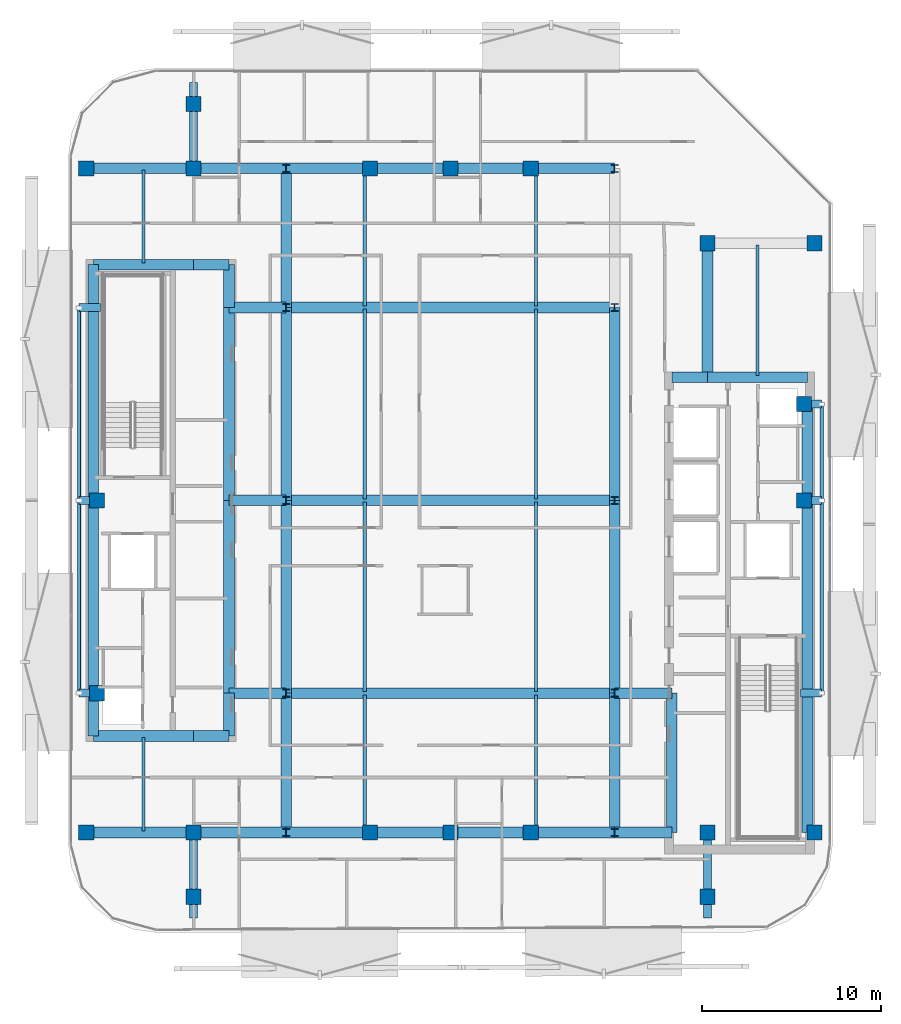
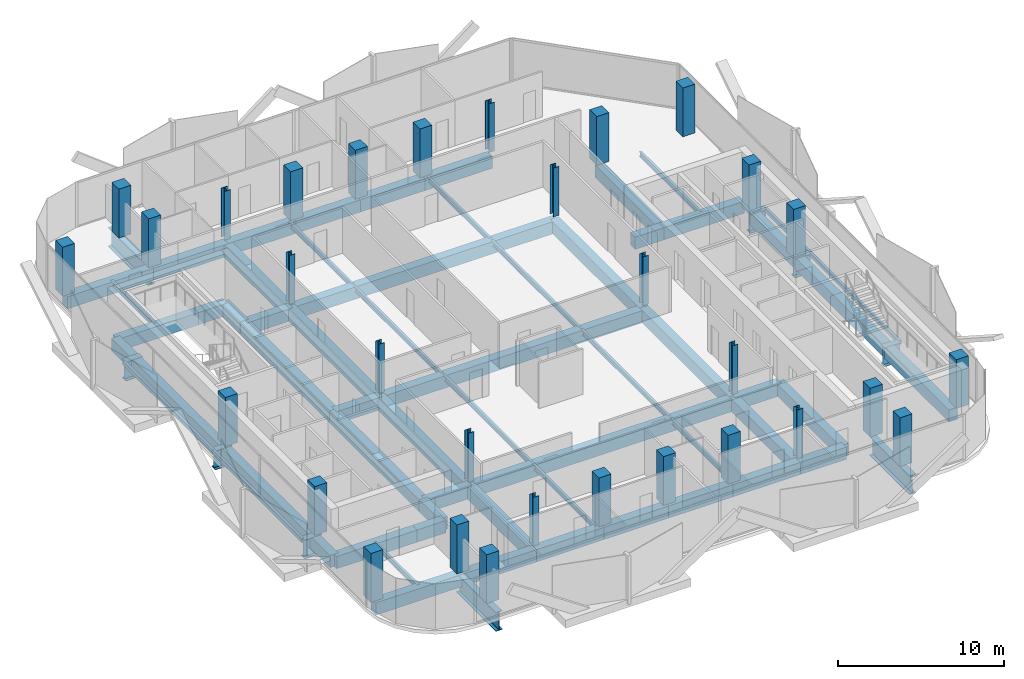
# One storey, part 1 of 15: 70 beams, 31 columns.
"""IFC4 building model written with IfcOpenShell, lengths in metres."""

from ifc_helpers import new_model, si_unit, direction, frame, origin, origin_2d, place, context, subcontext, project, spatial, rectangle, hollow_rectangle, i_section, extrude, material, material_profile, profile_set, type_object, element, save


model = new_model("IFC4")

# Units and contexts
model_context = context("Model", 3, precision=1e-05, world=origin(), true_north=direction((0.0, 1.0)))
body_context = subcontext(model_context, "Body", "Model", "MODEL_VIEW")
ifc_project = project(units=[si_unit("LENGTHUNIT", "METRE"), si_unit("AREAUNIT", "SQUARE_METRE"), si_unit("VOLUMEUNIT", "CUBIC_METRE"), si_unit("PLANEANGLEUNIT", "RADIAN"), si_unit("MASSUNIT", "GRAM", prefix="KILO")], contexts=[model_context])

# Site, building, storey
site_placement = place(None, origin())
site = spatial("IfcSite", under=ifc_project, at=site_placement, CompositionType="ELEMENT")
building_placement = place(site_placement, origin())
building = spatial("IfcBuilding", under=site, at=building_placement, Name="Khairoan Windgate Tower", CompositionType="ELEMENT")
storey_placement = place(building_placement, frame((0.0, 0.0, 262.0)))
storey = spatial("IfcBuildingStorey", under=building, at=storey_placement, Name="L62", CompositionType="ELEMENT", Elevation=262.0)

# Columns
ifc_material_1 = material(Name="Concrete C50/60", Category="concrete")
ifc_material_profile_1 = material_profile(ifc_material_1, rectangle(XDim=0.85009765625, YDim=0.85009765625, at=origin_2d()))
ifc_profile_set_1 = profile_set([ifc_material_profile_1], Name="Concrete C50/60")
column_type_1 = type_object("IfcColumnType", Name="Column C-T5 RC850x850", PredefinedType="COLUMN", material=ifc_profile_set_1)
for number, where, z_axis, x_axis, name in (
    (1, (-20.39990234375, -18.60009765625, 0.0), (0.0, 0.0, 1.0), (1.0, 0.0, 0.0), "Column L62-11"),
    (2, (-20.39990234375, 18.60009765625, 0.0), (0.0, 0.0, 1.0), (1.0, 0.0, 0.0), "Column L62-12"),
    (3, (20.39990234375, -18.60009765625, 0.0), (0.0, 0.0, 1.0), (1.0, 0.0, 0.0), "Column L62-13"),
    (4, (20.39990234375, 14.39990234375, 0.0), (0.0, 0.0, 1.0), (1.0, 0.0, 0.0), "Column L62-14"),
    (5, (-14.39990234375, -18.60009765625, 0.0), (0.0, 0.0, 1.0), (1.0, 0.0, 0.0), "Column L62-15"),
    (6, (-14.39990234375, 18.60009765625, 0.0), (0.0, 0.0, 1.0), (1.0, 0.0, 0.0), "Column L62-16"),
    (7, (14.39990234375, -18.60009765625, 0.0), (0.0, 0.0, 1.0), (1.0, 0.0, 0.0), "Column L62-17"),
    (8, (14.39990234375, 14.39990234375, 0.0), (0.0, 0.0, 1.0), (1.0, 0.0, 0.0), "Column L62-18"),
    (9, (-4.5, -18.60009765625, 0.0), (0.0, 0.0, 1.0), (1.0, 0.0, 0.0), "Column L62-19"),
    (10, (0.0, -18.60009765625, 0.0), (0.0, 0.0, 1.0), (1.0, 0.0, 0.0), "Column L62-20"),
    (11, (4.5, -18.60009765625, 0.0), (0.0, 0.0, 1.0), (1.0, 0.0, 0.0), "Column L62-21"),
    (12, (-4.5, 18.60009765625, 0.0), (0.0, 0.0, 1.0), (1.0, 0.0, 0.0), "Column L62-22"),
    (13, (0.0, 18.60009765625, 0.0), (0.0, 0.0, 1.0), (1.0, 0.0, 0.0), "Column L62-23"),
    (14, (4.5, 18.60009765625, 0.0), (0.0, 0.0, 1.0), (1.0, 0.0, 0.0), "Column L62-24"),
    (15, (-19.800048828125, -10.800048828125, 0.0), (0.0, 0.0, 1.0), (1.0, 0.0, 0.0), "Column L62-25"),
    (16, (-19.800048828125, 0.0, 0.0), (0.0, 0.0, 1.0), (1.0, 0.0, 0.0), "Column L62-26"),
    (17, (19.800048828125, 0.0, 0.0), (0.0, 0.0, 1.0), (1.0, 0.0, 0.0), "Column L62-29"),
    (18, (19.800048828125, 5.39990234375, 0.0), (0.0, 0.0, 1.0), (1.0, 0.0, 0.0), "Column L62-30"),
    (19, (-14.39990234375, -22.199951171875, 0.0), (0.0, 0.0, 1.0), (1.0, 0.0, 0.0), "Column L62-31"),
    (20, (-14.39990234375, 22.199951171875, 0.0), (0.0, 0.0, 1.0), (1.0, 0.0, 0.0), "Column L62-32"),
    (21, (14.39990234375, -22.199951171875, 0.0), (0.0, 0.0, 1.0), (1.0, 0.0, 0.0), "Column L62-33"),
):
    element("IfcColumn", number, at=place(storey_placement, frame(where, z_axis=z_axis, x_axis=x_axis)), inside=storey, type_object=column_type_1, Name=name, PredefinedType="COLUMN", context=body_context, shape_type="SweptSolid", body=[
        extrude(rectangle(XDim=0.85009765625, YDim=0.85009765625, at=origin_2d()), origin(), (0.0, 0.0, 1.0), 3.60009765625),
    ])
ifc_material_2 = material(Name="Steel S355", Category="steel")
ifc_material_profile_2 = material_profile(ifc_material_2, i_section(OverallWidth=0.406982421875, OverallDepth=0.427978515625, WebThickness=0.02001953125, FlangeThickness=0.034912109375, FilletRadius=0.02197265625, at=origin_2d()))
ifc_profile_set_2 = profile_set([ifc_material_profile_2], Name="Steel S355")
column_type_2 = type_object("IfcColumnType", Name="Steel Column SC3 H428x407x20x35", PredefinedType="COLUMN", material=ifc_profile_set_2)
for number, where, z_axis, x_axis, name in (
    (22, (-9.199951171875, -18.60009765625, 0.0), (0.0, 0.0, 1.0), (1.0, 0.0, 0.0), "Column L62-01"),
    (23, (-9.199951171875, -10.800048828125, 0.0), (0.0, 0.0, 1.0), (1.0, 0.0, 0.0), "Column L62-02"),
    (24, (-9.199951171875, 0.0, 0.0), (0.0, 0.0, 1.0), (1.0, 0.0, 0.0), "Column L62-03"),
    (25, (-9.199951171875, 10.800048828125, 0.0), (0.0, 0.0, 1.0), (1.0, 0.0, 0.0), "Column L62-04"),
    (26, (-9.199951171875, 18.60009765625, 0.0), (0.0, 0.0, 1.0), (1.0, 0.0, 0.0), "Column L62-05"),
    (27, (9.199951171875, -18.60009765625, 0.0), (0.0, 0.0, 1.0), (1.0, 0.0, 0.0), "Column L62-06"),
    (28, (9.199951171875, -10.800048828125, 0.0), (0.0, 0.0, 1.0), (1.0, 0.0, 0.0), "Column L62-07"),
    (29, (9.199951171875, 0.0, 0.0), (0.0, 0.0, 1.0), (1.0, 0.0, 0.0), "Column L62-08"),
    (30, (9.199951171875, 10.800048828125, 0.0), (0.0, 0.0, 1.0), (1.0, 0.0, 0.0), "Column L62-09"),
    (31, (9.199951171875, 18.60009765625, 0.0), (0.0, 0.0, 1.0), (1.0, 0.0, 0.0), "Column L62-10"),
):
    element("IfcColumn", number, at=place(storey_placement, frame(where, z_axis=z_axis, x_axis=x_axis)), inside=storey, type_object=column_type_2, Name=name, PredefinedType="COLUMN", context=body_context, shape_type="SweptSolid", body=[
        extrude(i_section(OverallWidth=0.406982421875, OverallDepth=0.427978515625, WebThickness=0.02001953125, FlangeThickness=0.034912109375, FilletRadius=0.02197265625, at=origin_2d()), origin(), (0.0, 0.0, 1.0), 3.60009765625),
    ])

# Beams
ifc_material_3 = material(Name="Concrete C50/60", Category="concrete")
ifc_material_profile_3 = material_profile(ifc_material_3, rectangle(XDim=0.60009765625, YDim=0.89990234375, at=origin_2d()))
ifc_profile_set_3 = profile_set([ifc_material_profile_3], Name="Concrete C50/60")
beam_type_1 = type_object("IfcBeamType", Name="Beam B-RC1 RC600x900", PredefinedType="BEAM", material=ifc_profile_set_3)
beam_1_placement = place(storey_placement, frame((-20.39990234375, -18.60009765625, -0.7099609375), z_axis=(1.0, 0.0, 0.0), x_axis=(0.0, 1.0, 0.0)))
element("IfcBeam", 32, at=beam_1_placement, inside=storey, type_object=beam_type_1, Name="L62 E-W Primary Girder 01", PredefinedType="BEAM", context=body_context, shape_type="SweptSolid", body=[
    extrude(rectangle(XDim=0.60009765625, YDim=0.89990234375, at=origin_2d()), origin(), (0.0, 0.0, 1.0), 6.0),
])
beam_2_placement = place(storey_placement, frame((-14.39990234375, -18.60009765625, -0.7099609375), z_axis=(1.0, 0.0, 0.0), x_axis=(0.0, 1.0, 0.0)))
element("IfcBeam", 33, at=beam_2_placement, inside=storey, type_object=beam_type_1, Name="L62 E-W Primary Girder 02", PredefinedType="BEAM", context=body_context, shape_type="SweptSolid", body=[
    extrude(rectangle(XDim=0.60009765625, YDim=0.89990234375, at=origin_2d()), origin(), (0.0, 0.0, 1.0), 5.199951171875),
])
beam_3_placement = place(storey_placement, frame((-9.199951171875, -18.60009765625, -0.7099609375), z_axis=(1.0, 0.0, 0.0), x_axis=(0.0, 1.0, 0.0)))
element("IfcBeam", 34, at=beam_3_placement, inside=storey, type_object=beam_type_1, Name="L62 E-W Primary Girder 03", PredefinedType="BEAM", context=body_context, shape_type="SweptSolid", body=[
    extrude(rectangle(XDim=0.60009765625, YDim=0.89990234375, at=origin_2d()), origin(), (0.0, 0.0, 1.0), 4.699951171875),
])
for number, where, z_axis, x_axis, name in (
    (35, (-4.5, -18.60009765625, -0.7099609375), (1.0, 0.0, 0.0), (0.0, 1.0, 0.0), "L62 E-W Primary Girder 04"),
    (36, (0.0, -18.60009765625, -0.7099609375), (1.0, 0.0, 0.0), (0.0, 1.0, 0.0), "L62 E-W Primary Girder 05"),
):
    element("IfcBeam", number, at=place(storey_placement, frame(where, z_axis=z_axis, x_axis=x_axis)), inside=storey, type_object=beam_type_1, Name=name, PredefinedType="BEAM", context=body_context, shape_type="SweptSolid", body=[
        extrude(rectangle(XDim=0.60009765625, YDim=0.89990234375, at=origin_2d()), origin(), (0.0, 0.0, 1.0), 4.5),
    ])
beam_4_placement = place(storey_placement, frame((4.5, -18.60009765625, -0.7099609375), z_axis=(1.0, 0.0, 0.0), x_axis=(0.0, 1.0, 0.0)))
element("IfcBeam", 37, at=beam_4_placement, inside=storey, type_object=beam_type_1, Name="L62 E-W Primary Girder 06", PredefinedType="BEAM", context=body_context, shape_type="SweptSolid", body=[
    extrude(rectangle(XDim=0.60009765625, YDim=0.89990234375, at=origin_2d()), origin(), (0.0, 0.0, 1.0), 4.699951171875),
])
beam_5_placement = place(storey_placement, frame((9.199951171875, -18.60009765625, -0.7099609375), z_axis=(1.0, 0.0, 0.0), x_axis=(0.0, 1.0, 0.0)))
element("IfcBeam", 38, at=beam_5_placement, inside=storey, type_object=beam_type_1, Name="L62 E-W Primary Girder 07", PredefinedType="BEAM", context=body_context, shape_type="SweptSolid", body=[
    extrude(rectangle(XDim=0.60009765625, YDim=0.89990234375, at=origin_2d()), origin(), (0.0, 0.0, 1.0), 3.199951171875),
])
beam_6_placement = place(storey_placement, frame((-20.0, -13.199951171875, -0.7099609375), z_axis=(1.0, 0.0, 0.0), x_axis=(0.0, 1.0, 0.0)))
element("IfcBeam", 39, at=beam_6_placement, inside=storey, type_object=beam_type_1, Name="L62 E-W Primary Girder 08", PredefinedType="BEAM", context=body_context, shape_type="SweptSolid", body=[
    extrude(rectangle(XDim=0.60009765625, YDim=0.89990234375, at=origin_2d()), origin(), (0.0, 0.0, 1.0), 5.60009765625),
])
beam_7_placement = place(storey_placement, frame((-14.39990234375, -13.199951171875, -0.7099609375), z_axis=(1.0, 0.0, 0.0), x_axis=(0.0, 1.0, 0.0)))
element("IfcBeam", 40, at=beam_7_placement, inside=storey, type_object=beam_type_1, Name="L62 E-W Primary Girder 09", PredefinedType="BEAM", context=body_context, shape_type="SweptSolid", body=[
    extrude(rectangle(XDim=0.60009765625, YDim=0.89990234375, at=origin_2d()), origin(), (0.0, 0.0, 1.0), 2.0),
])
beam_8_placement = place(storey_placement, frame((-12.39990234375, -10.800048828125, -0.7099609375), z_axis=(1.0, 0.0, 0.0), x_axis=(0.0, 1.0, 0.0)))
element("IfcBeam", 41, at=beam_8_placement, inside=storey, type_object=beam_type_1, Name="L62 E-W Primary Girder 10", PredefinedType="BEAM", context=body_context, shape_type="SweptSolid", body=[
    extrude(rectangle(XDim=0.60009765625, YDim=0.89990234375, at=origin_2d()), origin(), (0.0, 0.0, 1.0), 3.199951171875),
])
beam_9_placement = place(storey_placement, frame((-9.199951171875, -10.800048828125, -0.7099609375), z_axis=(1.0, 0.0, 0.0), x_axis=(0.0, 1.0, 0.0)))
element("IfcBeam", 42, at=beam_9_placement, inside=storey, type_object=beam_type_1, Name="L62 E-W Primary Girder 11", PredefinedType="BEAM", context=body_context, shape_type="SweptSolid", body=[
    extrude(rectangle(XDim=0.60009765625, YDim=0.89990234375, at=origin_2d()), origin(), (0.0, 0.0, 1.0), 18.39990234375),
])
for number, where, z_axis, x_axis, name in (
    (43, (9.199951171875, -10.800048828125, -0.7099609375), (1.0, 0.0, 0.0), (0.0, 1.0, 0.0), "L62 E-W Primary Girder 12"),
    (44, (-12.39990234375, 0.0, -0.7099609375), (1.0, 0.0, 0.0), (0.0, 1.0, 0.0), "L62 E-W Primary Girder 13"),
):
    element("IfcBeam", number, at=place(storey_placement, frame(where, z_axis=z_axis, x_axis=x_axis)), inside=storey, type_object=beam_type_1, Name=name, PredefinedType="BEAM", context=body_context, shape_type="SweptSolid", body=[
        extrude(rectangle(XDim=0.60009765625, YDim=0.89990234375, at=origin_2d()), origin(), (0.0, 0.0, 1.0), 3.199951171875),
    ])
beam_10_placement = place(storey_placement, frame((-9.199951171875, 0.0, -0.7099609375), z_axis=(1.0, 0.0, 0.0), x_axis=(0.0, 1.0, 0.0)))
element("IfcBeam", 45, at=beam_10_placement, inside=storey, type_object=beam_type_1, Name="L62 E-W Primary Girder 14", PredefinedType="BEAM", context=body_context, shape_type="SweptSolid", body=[
    extrude(rectangle(XDim=0.60009765625, YDim=0.89990234375, at=origin_2d()), origin(), (0.0, 0.0, 1.0), 18.39990234375),
])
beam_11_placement = place(storey_placement, frame((12.39990234375, 6.89990234375, -0.7099609375), z_axis=(1.0, 0.0, 0.0), x_axis=(0.0, 1.0, 0.0)))
element("IfcBeam", 46, at=beam_11_placement, inside=storey, type_object=beam_type_1, Name="L62 E-W Primary Girder 15", PredefinedType="BEAM", context=body_context, shape_type="SweptSolid", body=[
    extrude(rectangle(XDim=0.60009765625, YDim=0.89990234375, at=origin_2d()), origin(), (0.0, 0.0, 1.0), 2.0),
])
beam_12_placement = place(storey_placement, frame((14.39990234375, 6.89990234375, -0.7099609375), z_axis=(1.0, 0.0, 0.0), x_axis=(0.0, 1.0, 0.0)))
element("IfcBeam", 47, at=beam_12_placement, inside=storey, type_object=beam_type_1, Name="L62 E-W Primary Girder 16", PredefinedType="BEAM", context=body_context, shape_type="SweptSolid", body=[
    extrude(rectangle(XDim=0.60009765625, YDim=0.89990234375, at=origin_2d()), origin(), (0.0, 0.0, 1.0), 5.60009765625),
])
beam_13_placement = place(storey_placement, frame((-12.39990234375, 10.800048828125, -0.7099609375), z_axis=(1.0, 0.0, 0.0), x_axis=(0.0, 1.0, 0.0)))
element("IfcBeam", 48, at=beam_13_placement, inside=storey, type_object=beam_type_1, Name="L62 E-W Primary Girder 17", PredefinedType="BEAM", context=body_context, shape_type="SweptSolid", body=[
    extrude(rectangle(XDim=0.60009765625, YDim=0.89990234375, at=origin_2d()), origin(), (0.0, 0.0, 1.0), 3.199951171875),
])
beam_14_placement = place(storey_placement, frame((-9.199951171875, 10.800048828125, -0.7099609375), z_axis=(1.0, 0.0, 0.0), x_axis=(0.0, 1.0, 0.0)))
element("IfcBeam", 49, at=beam_14_placement, inside=storey, type_object=beam_type_1, Name="L62 E-W Primary Girder 18", PredefinedType="BEAM", context=body_context, shape_type="SweptSolid", body=[
    extrude(rectangle(XDim=0.60009765625, YDim=0.89990234375, at=origin_2d()), origin(), (0.0, 0.0, 1.0), 18.39990234375),
])
beam_15_placement = place(storey_placement, frame((-20.0, 13.199951171875, -0.7099609375), z_axis=(1.0, 0.0, 0.0), x_axis=(0.0, 1.0, 0.0)))
element("IfcBeam", 50, at=beam_15_placement, inside=storey, type_object=beam_type_1, Name="L62 E-W Primary Girder 19", PredefinedType="BEAM", context=body_context, shape_type="SweptSolid", body=[
    extrude(rectangle(XDim=0.60009765625, YDim=0.89990234375, at=origin_2d()), origin(), (0.0, 0.0, 1.0), 5.60009765625),
])
beam_16_placement = place(storey_placement, frame((-14.39990234375, 13.199951171875, -0.7099609375), z_axis=(1.0, 0.0, 0.0), x_axis=(0.0, 1.0, 0.0)))
element("IfcBeam", 51, at=beam_16_placement, inside=storey, type_object=beam_type_1, Name="L62 E-W Primary Girder 20", PredefinedType="BEAM", context=body_context, shape_type="SweptSolid", body=[
    extrude(rectangle(XDim=0.60009765625, YDim=0.89990234375, at=origin_2d()), origin(), (0.0, 0.0, 1.0), 2.0),
])
beam_17_placement = place(storey_placement, frame((-20.39990234375, 18.60009765625, -0.7099609375), z_axis=(1.0, 0.0, 0.0), x_axis=(0.0, 1.0, 0.0)))
element("IfcBeam", 52, at=beam_17_placement, inside=storey, type_object=beam_type_1, Name="L62 E-W Primary Girder 22", PredefinedType="BEAM", context=body_context, shape_type="SweptSolid", body=[
    extrude(rectangle(XDim=0.60009765625, YDim=0.89990234375, at=origin_2d()), origin(), (0.0, 0.0, 1.0), 6.0),
])
beam_18_placement = place(storey_placement, frame((-14.39990234375, 18.60009765625, -0.7099609375), z_axis=(1.0, 0.0, 0.0), x_axis=(0.0, 1.0, 0.0)))
element("IfcBeam", 53, at=beam_18_placement, inside=storey, type_object=beam_type_1, Name="L62 E-W Primary Girder 23", PredefinedType="BEAM", context=body_context, shape_type="SweptSolid", body=[
    extrude(rectangle(XDim=0.60009765625, YDim=0.89990234375, at=origin_2d()), origin(), (0.0, 0.0, 1.0), 5.199951171875),
])
beam_19_placement = place(storey_placement, frame((-9.199951171875, 18.60009765625, -0.7099609375), z_axis=(1.0, 0.0, 0.0), x_axis=(0.0, 1.0, 0.0)))
element("IfcBeam", 54, at=beam_19_placement, inside=storey, type_object=beam_type_1, Name="L62 E-W Primary Girder 24", PredefinedType="BEAM", context=body_context, shape_type="SweptSolid", body=[
    extrude(rectangle(XDim=0.60009765625, YDim=0.89990234375, at=origin_2d()), origin(), (0.0, 0.0, 1.0), 4.699951171875),
])
for number, where, z_axis, x_axis, name in (
    (55, (-4.5, 18.60009765625, -0.7099609375), (1.0, 0.0, 0.0), (0.0, 1.0, 0.0), "L62 E-W Primary Girder 25"),
    (56, (0.0, 18.60009765625, -0.7099609375), (1.0, 0.0, 0.0), (0.0, 1.0, 0.0), "L62 E-W Primary Girder 26"),
):
    element("IfcBeam", number, at=place(storey_placement, frame(where, z_axis=z_axis, x_axis=x_axis)), inside=storey, type_object=beam_type_1, Name=name, PredefinedType="BEAM", context=body_context, shape_type="SweptSolid", body=[
        extrude(rectangle(XDim=0.60009765625, YDim=0.89990234375, at=origin_2d()), origin(), (0.0, 0.0, 1.0), 4.5),
    ])
beam_20_placement = place(storey_placement, frame((4.5, 18.60009765625, -0.7099609375), z_axis=(1.0, 0.0, 0.0), x_axis=(0.0, 1.0, 0.0)))
element("IfcBeam", 57, at=beam_20_placement, inside=storey, type_object=beam_type_1, Name="L62 E-W Primary Girder 27", PredefinedType="BEAM", context=body_context, shape_type="SweptSolid", body=[
    extrude(rectangle(XDim=0.60009765625, YDim=0.89990234375, at=origin_2d()), origin(), (0.0, 0.0, 1.0), 4.699951171875),
])
beam_21_placement = place(storey_placement, frame((-20.0, -13.199951171875, -0.7099609375), z_axis=(0.0, 1.0, 0.0), x_axis=(-1.0, 0.0, 0.0)))
element("IfcBeam", 58, at=beam_21_placement, inside=storey, type_object=beam_type_1, Name="L62 N-S Primary Beam 30", PredefinedType="BEAM", context=body_context, shape_type="SweptSolid", body=[
    extrude(rectangle(XDim=0.60009765625, YDim=0.89990234375, at=origin_2d()), origin(), (0.0, 0.0, 1.0), 2.39990234375),
])
for number, where, z_axis, x_axis, name in (
    (59, (-20.0, -10.800048828125, -0.7099609375), (0.0, 1.0, 0.0), (-1.0, 0.0, 0.0), "L62 N-S Primary Beam 31"),
    (60, (-20.0, 0.0, -0.7099609375), (0.0, 1.0, 0.0), (-1.0, 0.0, 0.0), "L62 N-S Primary Beam 32"),
):
    element("IfcBeam", number, at=place(storey_placement, frame(where, z_axis=z_axis, x_axis=x_axis)), inside=storey, type_object=beam_type_1, Name=name, PredefinedType="BEAM", context=body_context, shape_type="SweptSolid", body=[
        extrude(rectangle(XDim=0.60009765625, YDim=0.89990234375, at=origin_2d()), origin(), (0.0, 0.0, 1.0), 10.800048828125),
    ])
for number, where, z_axis, x_axis, name in (
    (61, (-20.0, 10.800048828125, -0.7099609375), (0.0, 1.0, 0.0), (-1.0, 0.0, 0.0), "L62 N-S Primary Beam 33"),
    (62, (-12.39990234375, -13.199951171875, -0.7099609375), (0.0, 1.0, 0.0), (-1.0, 0.0, 0.0), "L62 N-S Primary Beam 34"),
):
    element("IfcBeam", number, at=place(storey_placement, frame(where, z_axis=z_axis, x_axis=x_axis)), inside=storey, type_object=beam_type_1, Name=name, PredefinedType="BEAM", context=body_context, shape_type="SweptSolid", body=[
        extrude(rectangle(XDim=0.60009765625, YDim=0.89990234375, at=origin_2d()), origin(), (0.0, 0.0, 1.0), 2.39990234375),
    ])
for number, where, z_axis, x_axis, name in (
    (63, (-12.39990234375, -10.800048828125, -0.7099609375), (0.0, 1.0, 0.0), (-1.0, 0.0, 0.0), "L62 N-S Primary Beam 35"),
    (64, (-12.39990234375, 0.0, -0.7099609375), (0.0, 1.0, 0.0), (-1.0, 0.0, 0.0), "L62 N-S Primary Beam 36"),
):
    element("IfcBeam", number, at=place(storey_placement, frame(where, z_axis=z_axis, x_axis=x_axis)), inside=storey, type_object=beam_type_1, Name=name, PredefinedType="BEAM", context=body_context, shape_type="SweptSolid", body=[
        extrude(rectangle(XDim=0.60009765625, YDim=0.89990234375, at=origin_2d()), origin(), (0.0, 0.0, 1.0), 10.800048828125),
    ])
beam_22_placement = place(storey_placement, frame((-12.39990234375, 10.800048828125, -0.7099609375), z_axis=(0.0, 1.0, 0.0), x_axis=(-1.0, 0.0, 0.0)))
element("IfcBeam", 65, at=beam_22_placement, inside=storey, type_object=beam_type_1, Name="L62 N-S Primary Beam 37", PredefinedType="BEAM", context=body_context, shape_type="SweptSolid", body=[
    extrude(rectangle(XDim=0.60009765625, YDim=0.89990234375, at=origin_2d()), origin(), (0.0, 0.0, 1.0), 2.39990234375),
])
beam_23_placement = place(storey_placement, frame((-9.199951171875, -18.60009765625, -0.7099609375), z_axis=(0.0, 1.0, 0.0), x_axis=(-1.0, 0.0, 0.0)))
element("IfcBeam", 66, at=beam_23_placement, inside=storey, type_object=beam_type_1, Name="L62 N-S Primary Beam 38", PredefinedType="BEAM", context=body_context, shape_type="SweptSolid", body=[
    extrude(rectangle(XDim=0.60009765625, YDim=0.89990234375, at=origin_2d()), origin(), (0.0, 0.0, 1.0), 7.800048828125),
])
for number, where, z_axis, x_axis, name in (
    (67, (-9.199951171875, -10.800048828125, -0.7099609375), (0.0, 1.0, 0.0), (-1.0, 0.0, 0.0), "L62 N-S Primary Beam 39"),
    (68, (-9.199951171875, 0.0, -0.7099609375), (0.0, 1.0, 0.0), (-1.0, 0.0, 0.0), "L62 N-S Primary Beam 40"),
):
    element("IfcBeam", number, at=place(storey_placement, frame(where, z_axis=z_axis, x_axis=x_axis)), inside=storey, type_object=beam_type_1, Name=name, PredefinedType="BEAM", context=body_context, shape_type="SweptSolid", body=[
        extrude(rectangle(XDim=0.60009765625, YDim=0.89990234375, at=origin_2d()), origin(), (0.0, 0.0, 1.0), 10.800048828125),
    ])
for number, where, z_axis, x_axis, name in (
    (69, (-9.199951171875, 10.800048828125, -0.7099609375), (0.0, 1.0, 0.0), (-1.0, 0.0, 0.0), "L62 N-S Primary Beam 41"),
    (70, (9.199951171875, -18.60009765625, -0.7099609375), (0.0, 1.0, 0.0), (-1.0, 0.0, 0.0), "L62 N-S Primary Beam 42"),
):
    element("IfcBeam", number, at=place(storey_placement, frame(where, z_axis=z_axis, x_axis=x_axis)), inside=storey, type_object=beam_type_1, Name=name, PredefinedType="BEAM", context=body_context, shape_type="SweptSolid", body=[
        extrude(rectangle(XDim=0.60009765625, YDim=0.89990234375, at=origin_2d()), origin(), (0.0, 0.0, 1.0), 7.800048828125),
    ])
for number, where, z_axis, x_axis, name in (
    (71, (9.199951171875, -10.800048828125, -0.7099609375), (0.0, 1.0, 0.0), (-1.0, 0.0, 0.0), "L62 N-S Primary Beam 43"),
    (72, (9.199951171875, 0.0, -0.7099609375), (0.0, 1.0, 0.0), (-1.0, 0.0, 0.0), "L62 N-S Primary Beam 44"),
):
    element("IfcBeam", number, at=place(storey_placement, frame(where, z_axis=z_axis, x_axis=x_axis)), inside=storey, type_object=beam_type_1, Name=name, PredefinedType="BEAM", context=body_context, shape_type="SweptSolid", body=[
        extrude(rectangle(XDim=0.60009765625, YDim=0.89990234375, at=origin_2d()), origin(), (0.0, 0.0, 1.0), 10.800048828125),
    ])
beam_24_placement = place(storey_placement, frame((12.39990234375, -18.60009765625, -0.7099609375), z_axis=(0.0, 1.0, 0.0), x_axis=(-1.0, 0.0, 0.0)))
element("IfcBeam", 73, at=beam_24_placement, inside=storey, type_object=beam_type_1, Name="L62 N-S Primary Beam 46", PredefinedType="BEAM", context=body_context, shape_type="SweptSolid", body=[
    extrude(rectangle(XDim=0.60009765625, YDim=0.89990234375, at=origin_2d()), origin(), (0.0, 0.0, 1.0), 7.800048828125),
])
beam_25_placement = place(storey_placement, frame((14.39990234375, 6.89990234375, -0.7099609375), z_axis=(0.0, 1.0, 0.0), x_axis=(-1.0, 0.0, 0.0)))
element("IfcBeam", 74, at=beam_25_placement, inside=storey, type_object=beam_type_1, Name="L62 N-S Primary Beam 47", PredefinedType="BEAM", context=body_context, shape_type="SweptSolid", body=[
    extrude(rectangle(XDim=0.60009765625, YDim=0.89990234375, at=origin_2d()), origin(), (0.0, 0.0, 1.0), 7.5),
])
beam_26_placement = place(storey_placement, frame((20.0, -18.60009765625, -0.7099609375), z_axis=(0.0, 1.0, 0.0), x_axis=(-1.0, 0.0, 0.0)))
element("IfcBeam", 75, at=beam_26_placement, inside=storey, type_object=beam_type_1, Name="L62 N-S Primary Beam 48", PredefinedType="BEAM", context=body_context, shape_type="SweptSolid", body=[
    extrude(rectangle(XDim=0.60009765625, YDim=0.89990234375, at=origin_2d()), origin(), (0.0, 0.0, 1.0), 7.800048828125),
])
beam_27_placement = place(storey_placement, frame((20.0, -10.800048828125, -0.7099609375), z_axis=(0.0, 1.0, 0.0), x_axis=(-1.0, 0.0, 0.0)))
element("IfcBeam", 76, at=beam_27_placement, inside=storey, type_object=beam_type_1, Name="L62 N-S Primary Beam 49", PredefinedType="BEAM", context=body_context, shape_type="SweptSolid", body=[
    extrude(rectangle(XDim=0.60009765625, YDim=0.89990234375, at=origin_2d()), origin(), (0.0, 0.0, 1.0), 10.800048828125),
])
beam_28_placement = place(storey_placement, frame((20.0, 0.0, -0.7099609375), z_axis=(0.0, 1.0, 0.0), x_axis=(-1.0, 0.0, 0.0)))
element("IfcBeam", 77, at=beam_28_placement, inside=storey, type_object=beam_type_1, Name="L62 N-S Primary Beam 50", PredefinedType="BEAM", context=body_context, shape_type="SweptSolid", body=[
    extrude(rectangle(XDim=0.60009765625, YDim=0.89990234375, at=origin_2d()), origin(), (0.0, 0.0, 1.0), 5.39990234375),
])
ifc_material_4 = material(Name="Steel S355", Category="steel")
ifc_material_profile_4 = material_profile(ifc_material_4, i_section(OverallWidth=0.175048828125, OverallDepth=0.35009765625, WebThickness=0.007080078125, FlangeThickness=0.010986328125, FilletRadius=0.013916015625, at=origin_2d()))
ifc_profile_set_4 = profile_set([ifc_material_profile_4], Name="Steel S355")
beam_type_2 = type_object("IfcBeamType", Name="Beam J-S5 H350x175x7x11", PredefinedType="JOIST", material=ifc_profile_set_4)
for number, where, z_axis, x_axis, name in (
    (78, (-17.199951171875, -18.510009765625, -0.43505859375), (0.0, 1.0, 0.0), (-1.0, 0.0, 0.0), "L62 Secondary Floor Joist 01"),
    (79, (-17.199951171875, 13.2900390625, -0.43505859375), (0.0, 1.0, 0.0), (-1.0, 0.0, 0.0), "L62 Secondary Floor Joist 02"),
):
    element("IfcBeam", number, at=place(storey_placement, frame(where, z_axis=z_axis, x_axis=x_axis)), inside=storey, type_object=beam_type_2, Name=name, PredefinedType="JOIST", context=body_context, shape_type="SweptSolid", body=[
        extrude(i_section(OverallWidth=0.175048828125, OverallDepth=0.35009765625, WebThickness=0.007080078125, FlangeThickness=0.010986328125, FilletRadius=0.013916015625, at=origin_2d()), origin(), (0.0, 0.0, 1.0), 5.219970703125),
    ])
beam_29_placement = place(storey_placement, frame((-4.800048828125, -18.510009765625, -0.43505859375), z_axis=(0.0, 1.0, 0.0), x_axis=(-1.0, 0.0, 0.0)))
element("IfcBeam", 80, at=beam_29_placement, inside=storey, type_object=beam_type_2, Name="L62 Secondary Floor Joist 03", PredefinedType="JOIST", context=body_context, shape_type="SweptSolid", body=[
    extrude(i_section(OverallWidth=0.175048828125, OverallDepth=0.35009765625, WebThickness=0.007080078125, FlangeThickness=0.010986328125, FilletRadius=0.013916015625, at=origin_2d()), origin(), (0.0, 0.0, 1.0), 7.6201171875),
])
for number, where, z_axis, x_axis, name in (
    (81, (-4.800048828125, -10.7099609375, -0.43505859375), (0.0, 1.0, 0.0), (-1.0, 0.0, 0.0), "L62 Secondary Floor Joist 04"),
    (82, (-4.800048828125, 0.090087890625, -0.43505859375), (0.0, 1.0, 0.0), (-1.0, 0.0, 0.0), "L62 Secondary Floor Joist 05"),
):
    element("IfcBeam", number, at=place(storey_placement, frame(where, z_axis=z_axis, x_axis=x_axis)), inside=storey, type_object=beam_type_2, Name=name, PredefinedType="JOIST", context=body_context, shape_type="SweptSolid", body=[
        extrude(i_section(OverallWidth=0.175048828125, OverallDepth=0.35009765625, WebThickness=0.007080078125, FlangeThickness=0.010986328125, FilletRadius=0.013916015625, at=origin_2d()), origin(), (0.0, 0.0, 1.0), 10.619873046875),
    ])
for number, where, z_axis, x_axis, name in (
    (83, (-4.800048828125, 10.889892578125, -0.43505859375), (0.0, 1.0, 0.0), (-1.0, 0.0, 0.0), "L62 Secondary Floor Joist 06"),
    (84, (4.800048828125, -18.510009765625, -0.43505859375), (0.0, 1.0, 0.0), (-1.0, 0.0, 0.0), "L62 Secondary Floor Joist 07"),
):
    element("IfcBeam", number, at=place(storey_placement, frame(where, z_axis=z_axis, x_axis=x_axis)), inside=storey, type_object=beam_type_2, Name=name, PredefinedType="JOIST", context=body_context, shape_type="SweptSolid", body=[
        extrude(i_section(OverallWidth=0.175048828125, OverallDepth=0.35009765625, WebThickness=0.007080078125, FlangeThickness=0.010986328125, FilletRadius=0.013916015625, at=origin_2d()), origin(), (0.0, 0.0, 1.0), 7.6201171875),
    ])
for number, where, z_axis, x_axis, name in (
    (85, (4.800048828125, -10.7099609375, -0.43505859375), (0.0, 1.0, 0.0), (-1.0, 0.0, 0.0), "L62 Secondary Floor Joist 08"),
    (86, (4.800048828125, 0.090087890625, -0.43505859375), (0.0, 1.0, 0.0), (-1.0, 0.0, 0.0), "L62 Secondary Floor Joist 09"),
):
    element("IfcBeam", number, at=place(storey_placement, frame(where, z_axis=z_axis, x_axis=x_axis)), inside=storey, type_object=beam_type_2, Name=name, PredefinedType="JOIST", context=body_context, shape_type="SweptSolid", body=[
        extrude(i_section(OverallWidth=0.175048828125, OverallDepth=0.35009765625, WebThickness=0.007080078125, FlangeThickness=0.010986328125, FilletRadius=0.013916015625, at=origin_2d()), origin(), (0.0, 0.0, 1.0), 10.619873046875),
    ])
beam_30_placement = place(storey_placement, frame((4.800048828125, 10.889892578125, -0.43505859375), z_axis=(0.0, 1.0, 0.0), x_axis=(-1.0, 0.0, 0.0)))
element("IfcBeam", 87, at=beam_30_placement, inside=storey, type_object=beam_type_2, Name="L62 Secondary Floor Joist 10", PredefinedType="JOIST", context=body_context, shape_type="SweptSolid", body=[
    extrude(i_section(OverallWidth=0.175048828125, OverallDepth=0.35009765625, WebThickness=0.007080078125, FlangeThickness=0.010986328125, FilletRadius=0.013916015625, at=origin_2d()), origin(), (0.0, 0.0, 1.0), 7.6201171875),
])
beam_31_placement = place(storey_placement, frame((17.199951171875, 6.989990234375, -0.43505859375), z_axis=(0.0, 1.0, 0.0), x_axis=(-1.0, 0.0, 0.0)))
element("IfcBeam", 88, at=beam_31_placement, inside=storey, type_object=beam_type_2, Name="L62 Secondary Floor Joist 11", PredefinedType="JOIST", context=body_context, shape_type="SweptSolid", body=[
    extrude(i_section(OverallWidth=0.175048828125, OverallDepth=0.35009765625, WebThickness=0.007080078125, FlangeThickness=0.010986328125, FilletRadius=0.013916015625, at=origin_2d()), origin(), (0.0, 0.0, 1.0), 7.320068359375),
])
ifc_material_5 = material(Name="Steel S355", Category="steel")
ifc_material_profile_5 = material_profile(ifc_material_5, hollow_rectangle(XDim=0.199951171875, YDim=0.300048828125, WallThickness=0.012451171875, InnerFilletRadius=0.012451171875, OuterFilletRadius=0.02490234375, at=origin_2d()))
ifc_profile_set_5 = profile_set([ifc_material_profile_5], Name="Steel S355")
beam_type_3 = type_object("IfcBeamType", Name="Beam SP-B3 RHS300x200x12.5", PredefinedType="SPANDREL", material=ifc_profile_set_5)
for number, where, z_axis, x_axis, name in (
    (89, (-20.800048828125, -10.800048828125, -0.409912109375), (0.0, 1.0, 0.0), (-1.0, 0.0, 0.0), "L62 Spandrel Beam 28"),
    (90, (-20.800048828125, 0.0, -0.409912109375), (0.0, 1.0, 0.0), (-1.0, 0.0, 0.0), "L62 Spandrel Beam 29"),
    (91, (20.800048828125, -10.800048828125, -0.409912109375), (0.0, 1.0, 0.0), (-1.0, 0.0, 0.0), "L62 Spandrel Beam 51"),
):
    element("IfcBeam", number, at=place(storey_placement, frame(where, z_axis=z_axis, x_axis=x_axis)), inside=storey, type_object=beam_type_3, Name=name, PredefinedType="SPANDREL", context=body_context, shape_type="SweptSolid", body=[
        extrude(hollow_rectangle(XDim=0.199951171875, YDim=0.300048828125, WallThickness=0.012451171875, InnerFilletRadius=0.012451171875, OuterFilletRadius=0.02490234375, at=origin_2d()), origin(), (0.0, 0.0, 1.0), 10.800048828125),
    ])
beam_32_placement = place(storey_placement, frame((20.800048828125, 0.0, -0.409912109375), z_axis=(0.0, 1.0, 0.0), x_axis=(-1.0, 0.0, 0.0)))
element("IfcBeam", 92, at=beam_32_placement, inside=storey, type_object=beam_type_3, Name="L62 Spandrel Beam 52", PredefinedType="SPANDREL", context=body_context, shape_type="SweptSolid", body=[
    extrude(hollow_rectangle(XDim=0.199951171875, YDim=0.300048828125, WallThickness=0.012451171875, InnerFilletRadius=0.012451171875, OuterFilletRadius=0.02490234375, at=origin_2d()), origin(), (0.0, 0.0, 1.0), 5.39990234375),
])
ifc_material_6 = material(Name="Steel S355", Category="steel")
ifc_material_profile_6 = material_profile(ifc_material_6, i_section(OverallWidth=0.449951171875, OverallDepth=1.39990234375, WebThickness=0.02392578125, FlangeThickness=0.0400390625, FilletRadius=0.02392578125, at=origin_2d()))
ifc_profile_set_6 = profile_set([ifc_material_profile_6], Name="Steel S355")
beam_type_4 = type_object("IfcBeamType", Name="Setback Transfer Girder STG2 PG1400x450x24x40", PredefinedType="BEAM", material=ifc_profile_set_6)
for number, where, z_axis, x_axis, name in (
    (93, (-20.800048828125, -10.800048828125, -0.9599609375), (1.0, 0.0, 0.0), (0.0, 1.0, 0.0), "Zone-4B Setback Transfer Girder STG2-01"),
    (94, (-20.800048828125, 0.0, -0.9599609375), (1.0, 0.0, 0.0), (0.0, 1.0, 0.0), "Zone-4B Setback Transfer Girder STG2-02"),
    (95, (-20.800048828125, 10.800048828125, -0.9599609375), (1.0, 0.0, 0.0), (0.0, 1.0, 0.0), "Zone-4B Setback Transfer Girder STG2-03"),
    (96, (19.60009765625, -10.800048828125, -0.9599609375), (1.0, 0.0, 0.0), (0.0, 1.0, 0.0), "Zone-4B Setback Transfer Girder STG2-04"),
    (97, (19.60009765625, 0.0, -0.9599609375), (1.0, 0.0, 0.0), (0.0, 1.0, 0.0), "Zone-4B Setback Transfer Girder STG2-05"),
    (98, (19.60009765625, 5.39990234375, -0.9599609375), (1.0, 0.0, 0.0), (0.0, 1.0, 0.0), "Zone-4B Setback Transfer Girder STG2-06"),
):
    element("IfcBeam", number, at=place(storey_placement, frame(where, z_axis=z_axis, x_axis=x_axis)), inside=storey, type_object=beam_type_4, Name=name, PredefinedType="BEAM", context=body_context, shape_type="SweptSolid", body=[
        extrude(i_section(OverallWidth=0.449951171875, OverallDepth=1.39990234375, WebThickness=0.02392578125, FlangeThickness=0.0400390625, FilletRadius=0.02392578125, at=origin_2d()), origin(), (0.0, 0.0, 1.0), 1.199951171875),
    ])
for number, where, z_axis, x_axis, name in (
    (99, (-14.39990234375, -23.39990234375, -0.9599609375), (0.0, 1.0, 0.0), (-1.0, 0.0, 0.0), "Zone-4B Setback Transfer Girder STG2-07"),
    (100, (-14.39990234375, 18.60009765625, -0.9599609375), (0.0, 1.0, 0.0), (-1.0, 0.0, 0.0), "Zone-4B Setback Transfer Girder STG2-08"),
    (101, (14.39990234375, -23.39990234375, -0.9599609375), (0.0, 1.0, 0.0), (-1.0, 0.0, 0.0), "Zone-4B Setback Transfer Girder STG2-09"),
):
    element("IfcBeam", number, at=place(storey_placement, frame(where, z_axis=z_axis, x_axis=x_axis)), inside=storey, type_object=beam_type_4, Name=name, PredefinedType="BEAM", context=body_context, shape_type="SweptSolid", body=[
        extrude(i_section(OverallWidth=0.449951171875, OverallDepth=1.39990234375, WebThickness=0.02392578125, FlangeThickness=0.0400390625, FilletRadius=0.02392578125, at=origin_2d()), origin(), (0.0, 0.0, 1.0), 4.7998046875),
    ])

save(model, "model.ifc")
